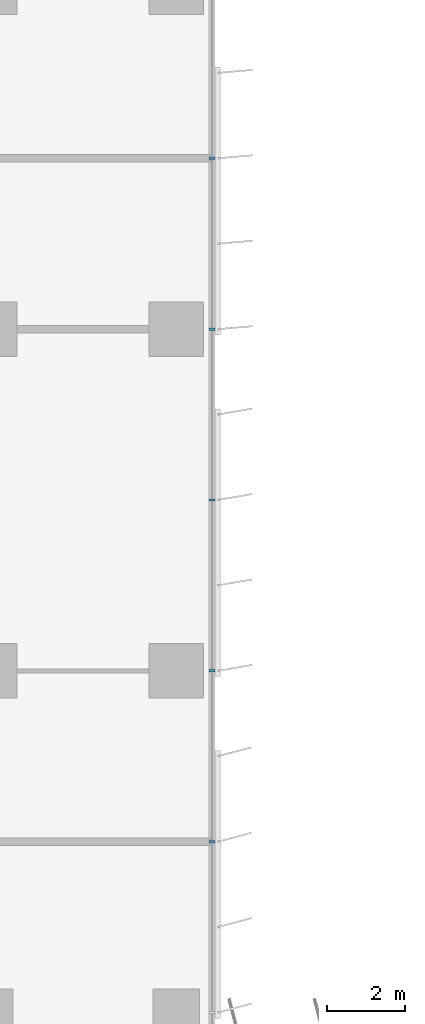
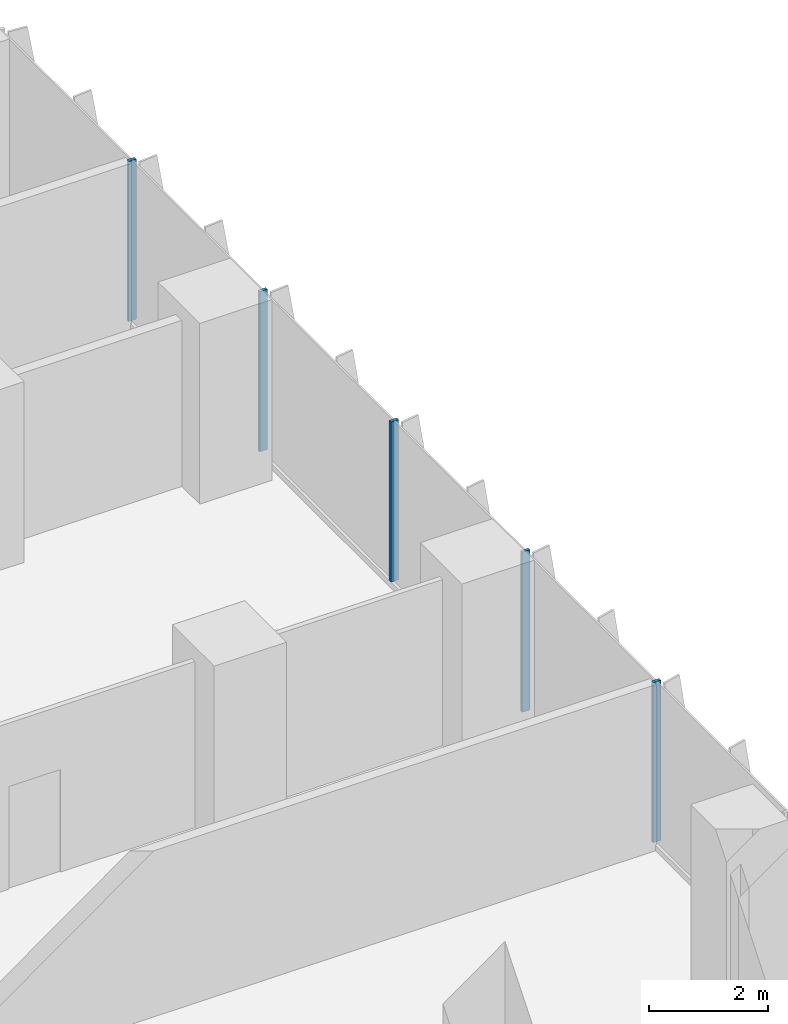
# One storey, part 5 of 24: 5 members, 1 element without a shape of its own.
"""IFC4 building model written with IfcOpenShell, lengths in metres."""

from ifc_helpers import new_model, si_unit, direction, frame, origin, origin_2d, place, context, subcontext, project, spatial, rectangle, extrude, source, transform, mapped, material, material_profile, profile_set, type_object, element, aggregate, save


model = new_model("IFC4")

# Units and contexts
model_context = context("Model", 3, precision=1e-05, world=origin(), true_north=direction((0.0, 1.0)))
body_context = subcontext(model_context, "Body", "Model", "MODEL_VIEW")
ifc_project = project(units=[si_unit("LENGTHUNIT", "METRE"), si_unit("AREAUNIT", "SQUARE_METRE"), si_unit("VOLUMEUNIT", "CUBIC_METRE"), si_unit("PLANEANGLEUNIT", "RADIAN"), si_unit("MASSUNIT", "GRAM", prefix="KILO")], contexts=[model_context])

# Site, building, storey
site_placement = place(None, origin())
site = spatial("IfcSite", under=ifc_project, at=site_placement, CompositionType="ELEMENT")
building_placement = place(site_placement, origin())
building = spatial("IfcBuilding", under=site, at=building_placement, Name="Kemantara Hotel Tower", CompositionType="ELEMENT")
storey_placement = place(building_placement, frame((0.0, 0.0, 41.39990234375)))
storey = spatial("IfcBuildingStorey", under=building, at=storey_placement, Name="L08", CompositionType="ELEMENT", Elevation=41.39990234375)

# Curtain wall, members
ifc_material_1 = material(Name="Low-E tinted double insulated glass 36 mm", Category="glass")
curtain_wall_type = type_object("IfcCurtainWallType", Name="TOWER CURTAIN WALL, FRONT FACES", PredefinedType="USERDEFINED", material=ifc_material_1)
curtain_wall_placement = place(storey_placement, origin())
curtain_wall = element("IfcCurtainWall", 1, at=curtain_wall_placement, inside=storey, type_object=curtain_wall_type, Name="CW4 L08 T1-R08-1", ObjectType="TOWER CURTAIN WALL, FRONT FACES", PredefinedType="USERDEFINED")
ifc_material_2 = material(Name="Aluminium 6063-T6 bronze anodised", Category="aluminium")
ifc_material_profile = material_profile(ifc_material_2, rectangle(XDim=0.14990234375, YDim=0.06005859375, at=origin_2d()), Name="TOWER CURTAIN WALL, FRONT FACES MULLION")
ifc_profile_set = profile_set([ifc_material_profile], Name="Aluminium 6063-T6 bronze anodised")
member_type = type_object("IfcMemberType", Name="TOWER CURTAIN WALL, FRONT FACES MULLION", PredefinedType="MULLION", material=ifc_profile_set)
shared_shape = source(origin(), body_context, "Body", "SweptSolid", [
    extrude(rectangle(XDim=0.14990234375, YDim=0.06005859375, at=origin_2d()), origin(), (0.0, 0.0, 1.0), 3.280029296875),
])
member_1_placement = place(storey_placement, frame((26.72509765625, 31.800048828125, 0.1201171875), z_axis=(0.0, 0.0, 1.0), x_axis=(-1.0, 0.0, 0.0)))
member_1 = element("IfcMember", 2, at=member_1_placement, type_object=member_type, Name="CW4 mullion T1-R08-1.3", PredefinedType="MULLION", context=body_context, shape_type="MappedRepresentation", body=[
    mapped(shared_shape, transform((0.0, 0.0, 0.0))),
])
member_2_placement = place(storey_placement, frame((26.72509765625, 36.199951171875, 0.1201171875), z_axis=(0.0, 0.0, 1.0), x_axis=(-1.0, 0.0, 0.0)))
member_2 = element("IfcMember", 3, at=member_2_placement, type_object=member_type, Name="CW4 mullion T1-R08-1.4", PredefinedType="MULLION", context=body_context, shape_type="MappedRepresentation", body=[
    mapped(shared_shape, transform((0.0, 0.0, 0.0))),
])
member_3_placement = place(storey_placement, frame((26.72509765625, 40.60009765625, 0.1201171875), z_axis=(0.0, 0.0, 1.0), x_axis=(-1.0, 0.0, 0.0)))
member_3 = element("IfcMember", 4, at=member_3_placement, type_object=member_type, Name="CW4 mullion T1-R08-1.5", PredefinedType="MULLION", context=body_context, shape_type="MappedRepresentation", body=[
    mapped(shared_shape, transform((0.0, 0.0, 0.0))),
])
member_4_placement = place(storey_placement, frame((26.72509765625, 45.0, 0.1201171875), z_axis=(0.0, 0.0, 1.0), x_axis=(-1.0, 0.0, 0.0)))
member_4 = element("IfcMember", 5, at=member_4_placement, type_object=member_type, Name="CW4 mullion T1-R08-1.6", PredefinedType="MULLION", context=body_context, shape_type="MappedRepresentation", body=[
    mapped(shared_shape, transform((0.0, 0.0, 0.0))),
])
member_5_placement = place(storey_placement, frame((26.72509765625, 49.39990234375, 0.1201171875), z_axis=(0.0, 0.0, 1.0), x_axis=(-1.0, 0.0, 0.0)))
member_5 = element("IfcMember", 6, at=member_5_placement, type_object=member_type, Name="CW4 mullion T1-R08-1.7", PredefinedType="MULLION", context=body_context, shape_type="MappedRepresentation", body=[
    mapped(shared_shape, transform((0.0, 0.0, 0.0))),
])
aggregate(curtain_wall, [member_1, member_2, member_3, member_4, member_5])

save(model, "model.ifc")
